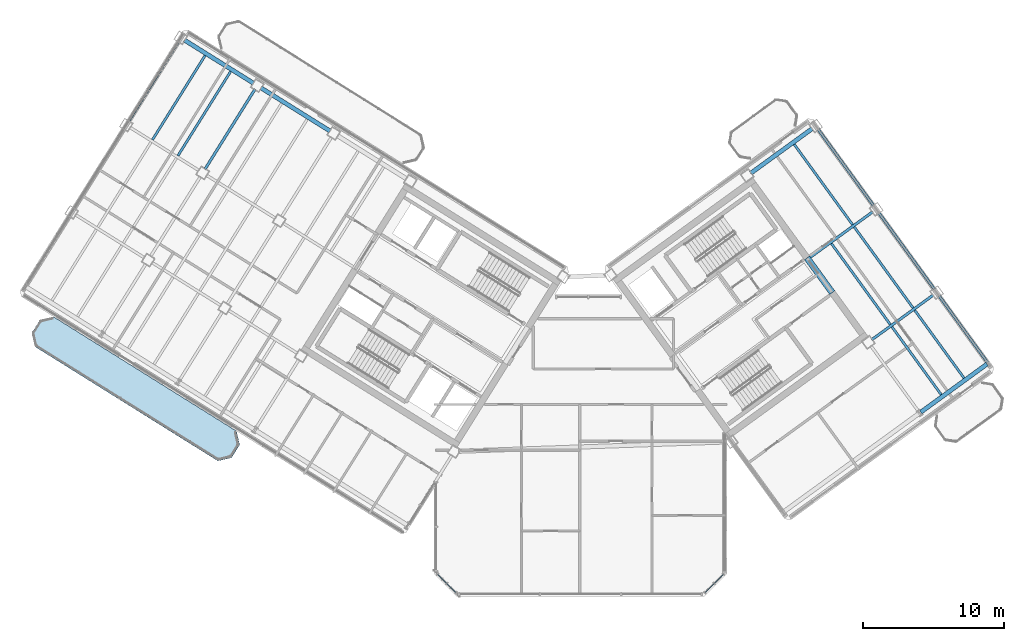
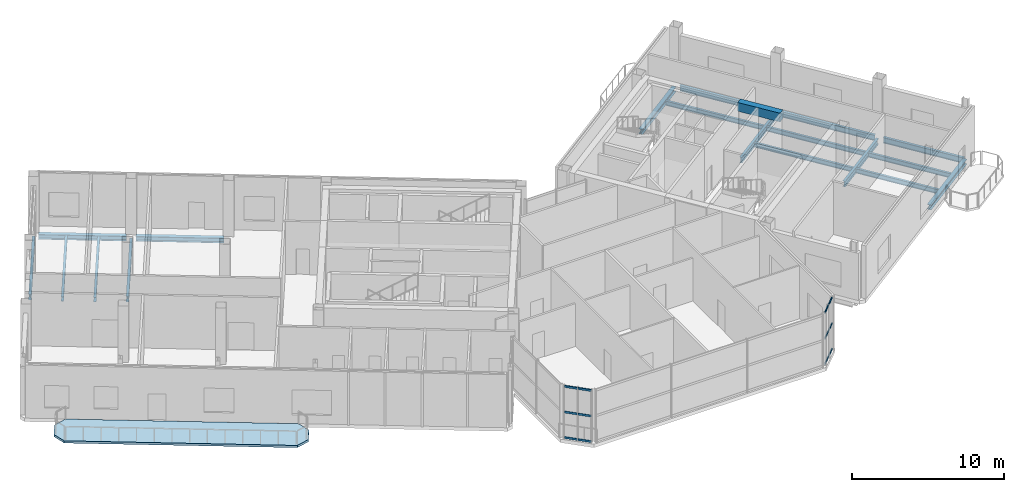
# One storey, part 13 of 27: 19 beams, 12 members, 1 slab, 2 elements without a shape of their own.
"""IFC4 building model written with IfcOpenShell, lengths in metres."""

from ifc_helpers import new_model, si_unit, direction, frame, origin, origin_2d, place, context, subcontext, project, spatial, polyline, rectangle, hollow_rectangle, i_section, outline, extrude, source, transform, mapped, material, layer, layer_set, material_profile, profile_set, type_object, element, aggregate, save


model = new_model("IFC4")

# Units and contexts
model_context = context("Model", 3, precision=1e-05, world=origin(), true_north=direction((0.0, 1.0)))
body_context = subcontext(model_context, "Body", "Model", "MODEL_VIEW")
ifc_project = project(units=[si_unit("LENGTHUNIT", "METRE"), si_unit("AREAUNIT", "SQUARE_METRE"), si_unit("VOLUMEUNIT", "CUBIC_METRE"), si_unit("PLANEANGLEUNIT", "RADIAN"), si_unit("MASSUNIT", "GRAM", prefix="KILO")], contexts=[model_context])

# Site, building, storey
site_placement = place(None, origin())
site = spatial("IfcSite", under=ifc_project, at=site_placement, CompositionType="ELEMENT")
building_placement = place(site_placement, origin())
building = spatial("IfcBuilding", under=site, at=building_placement, Name="Tlacorven Tower", CompositionType="ELEMENT")
storey_placement = place(building_placement, frame((0.0, 0.0, 254.699951171875)))
storey = spatial("IfcBuildingStorey", under=building, at=storey_placement, Name="L64", CompositionType="ELEMENT", Elevation=254.699951171875)

# Beams
ifc_material_1 = material(Name="Concrete C60/75", Category="concrete")
ifc_material_profile_1 = material_profile(ifc_material_1, rectangle(XDim=0.449951171875, YDim=0.699951171875, at=origin_2d()), Name="RC 450X700")
ifc_profile_set_1 = profile_set([ifc_material_profile_1], Name="Concrete C60/75")
beam_type_1 = type_object("IfcBeamType", Name="BM-LNT-700", PredefinedType="LINTEL", material=ifc_profile_set_1)
shared_shape_1 = source(origin(), body_context, "Body", "SweptSolid", [
    extrude(rectangle(XDim=0.449951171875, YDim=0.699951171875, at=origin_2d()), origin(), (0.0, 0.0, 1.0), 3.050048828125),
])
beam_1_placement = place(storey_placement, frame((59.856689453125, 23.345947265625, 3.900146484375), z_axis=(-0.587776590479, 0.80902328748, 0.0), x_axis=(-0.80902328748, -0.587776590479, 0.0)))
element("IfcBeam", 1, at=beam_1_placement, inside=storey, type_object=beam_type_1, Name="L64 E core coupling lintel beam E2", PredefinedType="LINTEL", context=body_context, shape_type="MappedRepresentation", body=[
    mapped(shared_shape_1, transform((0.0, 0.0, 0.0), scale=1.0)),
])
ifc_material_2 = material(Name="Steel S355J2", Category="steel")
ifc_material_profile_2 = material_profile(ifc_material_2, i_section(OverallWidth=0.300048828125, OverallDepth=0.389892578125, WebThickness=0.010986328125, FlangeThickness=0.01904296875, at=origin_2d()), Name="HEA 400")
ifc_profile_set_2 = profile_set([ifc_material_profile_2], Name="Steel S355J2")
beam_type_2 = type_object("IfcBeamType", Name="BM-SPN-400", PredefinedType="SPANDREL", material=ifc_profile_set_2)
shared_shape_2 = source(origin(), body_context, "Body", "SweptSolid", [
    extrude(i_section(OverallWidth=0.300048828125, OverallDepth=0.389892578125, WebThickness=0.010986328125, FlangeThickness=0.01904296875, at=origin_2d()), origin(), (0.0, 0.0, 1.0), 5.800048828125),
])
for number, where, z_axis, x_axis, name in (
    (2, (24.24609375, 34.8017578125, -0.474853515625), (-0.848052689693, 0.529911912967, 0.0), (-0.529911912967, -0.848052689693, 0.0), "L64 beam BM-L64-WL1-4"),
    (3, (18.818603515625, 38.193359375, -0.474853515625), (-0.848052689693, 0.529911912967, 0.0), (-0.529911912967, -0.848052689693, 0.0), "L64 beam BM-L64-WL1-5"),
    (4, (66.138671875, 14.86962890625, -0.474853515625), (0.809019944521, 0.587781191743, 0.0), (-0.587781191743, 0.809019944521, 0.0), "L64 beam BM-L64-EL1-3"),
):
    element("IfcBeam", number, at=place(storey_placement, frame(where, z_axis=z_axis, x_axis=x_axis)), inside=storey, type_object=beam_type_2, Name=name, PredefinedType="SPANDREL", context=body_context, shape_type="MappedRepresentation", body=[
        mapped(shared_shape_2, transform((0.0, 0.0, 0.0), scale=1.0)),
    ])
ifc_material_profile_3 = material_profile(ifc_material_2, i_section(OverallWidth=0.18994140625, OverallDepth=0.449951171875, WebThickness=0.009521484375, FlangeThickness=0.0146484375, at=origin_2d()), Name="IPE 450")
ifc_profile_set_3 = profile_set([ifc_material_profile_3], Name="Steel S355J2")
beam_type_3 = type_object("IfcBeamType", Name="BM-TWR-450", PredefinedType="BEAM", material=ifc_profile_set_3)
shared_shape_3 = source(origin(), body_context, "Body", "SweptSolid", [
    extrude(i_section(OverallWidth=0.18994140625, OverallDepth=0.449951171875, WebThickness=0.009521484375, FlangeThickness=0.0146484375, at=origin_2d()), origin(), (0.0, 0.0, 1.0), 5.800048828125),
])
beam_2_placement = place(storey_placement, frame((70.853271484375, 18.41845703125, -0.5048828125), z_axis=(-0.587781191743, 0.809019944521, 0.0), x_axis=(-0.809019944521, -0.587781191743, 0.0)))
element("IfcBeam", 5, at=beam_2_placement, inside=storey, type_object=beam_type_3, Name="L64 beam BM-L64-ET4-1", PredefinedType="BEAM", context=body_context, shape_type="MappedRepresentation", body=[
    mapped(shared_shape_3, transform((0.0, 0.0, 0.0), scale=1.0)),
])
shared_shape_4 = source(origin(), body_context, "Body", "SweptSolid", [
    extrude(i_section(OverallWidth=0.18994140625, OverallDepth=0.449951171875, WebThickness=0.009521484375, FlangeThickness=0.0146484375, at=origin_2d()), origin(), (0.0, 0.0, 1.0), 6.699951171875),
])
for number, where, z_axis, x_axis, name in (
    (6, (13.486328125, 41.17138671875, -0.5048828125), (-0.529903948186, -0.848057666493, 0.0), (0.848057666493, -0.529903948186, 0.0), "L64 beam BM-L64-WT6-1"),
    (7, (67.09130859375, 23.59619140625, -0.5048828125), (-0.587768623827, 0.809029075401, 0.0), (-0.809029075401, -0.587768623827, 0.0), "L64 beam BM-L64-ET4-2"),
    (8, (62.800537109375, 29.501953125, -0.5048828125), (-0.587792473715, 0.809011747655, 0.0), (-0.809011747655, -0.587792473715, 0.0), "L64 beam BM-L64-ET4-3"),
):
    element("IfcBeam", number, at=place(storey_placement, frame(where, z_axis=z_axis, x_axis=x_axis)), inside=storey, type_object=beam_type_3, Name=name, PredefinedType="BEAM", context=body_context, shape_type="MappedRepresentation", body=[
        mapped(shared_shape_4, transform((0.0, 0.0, 0.0), scale=1.0)),
    ])
shared_shape_5 = source(origin(), body_context, "Body", "SweptSolid", [
    extrude(i_section(OverallWidth=0.18994140625, OverallDepth=0.449951171875, WebThickness=0.009521484375, FlangeThickness=0.0146484375, at=origin_2d()), origin(), (0.0, 0.0, 1.0), 6.7001953125),
])
beam_3_placement = place(storey_placement, frame((18.9140625, 37.780029296875, -0.5048828125), z_axis=(-0.52991377951, -0.848051523367, 0.0), x_axis=(0.848051523367, -0.52991377951, 0.0)))
element("IfcBeam", 9, at=beam_3_placement, inside=storey, type_object=beam_type_3, Name="L64 beam BM-L64-WT5-1", PredefinedType="BEAM", context=body_context, shape_type="MappedRepresentation", body=[
    mapped(shared_shape_5, transform((0.0, 0.0, 0.0), scale=1.0)),
])
ifc_material_profile_4 = material_profile(ifc_material_2, i_section(OverallWidth=0.169921875, OverallDepth=0.360107421875, WebThickness=0.008056640625, FlangeThickness=0.0126953125, at=origin_2d()), Name="IPE 360")
ifc_profile_set_4 = profile_set([ifc_material_profile_4], Name="Steel S355J2")
beam_type_4 = type_object("IfcBeamType", Name="BM-JST-360", PredefinedType="JOIST", material=ifc_profile_set_4)
shared_shape_6 = source(origin(), body_context, "Body", "SweptSolid", [
    extrude(i_section(OverallWidth=0.169921875, OverallDepth=0.360107421875, WebThickness=0.008056640625, FlangeThickness=0.0126953125, at=origin_2d()), origin(), (0.0, 0.0, 1.0), 7.044921875),
])
for number, where, z_axis, x_axis, name in (
    (10, (17.181640625, 39.033447265625, -0.4599609375), (-0.529899256491, -0.848060598053, 0.0), (0.848060598053, -0.529899256491, 0.0), "L64 beam BM-L64-WJ5-1-1"),
    (11, (15.372314453125, 40.163818359375, -0.4599609375), (-0.52991483005, -0.848050866925, 0.0), (0.848050866925, -0.52991483005, 0.0), "L64 beam BM-L64-WJ5-1-2"),
    (12, (61.300048828125, 28.164794921875, -0.4599609375), (-0.587782183052, 0.8090192243, 0.0), (-0.8090192243, -0.587782183052, 0.0), "L64 beam BM-L64-EJ3-3-2"),
):
    element("IfcBeam", number, at=place(storey_placement, frame(where, z_axis=z_axis, x_axis=x_axis)), inside=storey, type_object=beam_type_4, Name=name, PredefinedType="JOIST", context=body_context, shape_type="MappedRepresentation", body=[
        mapped(shared_shape_6, transform((0.0, 0.0, 0.0), scale=1.0)),
    ])
shared_shape_7 = source(origin(), body_context, "Body", "SweptSolid", [
    extrude(i_section(OverallWidth=0.169921875, OverallDepth=0.360107421875, WebThickness=0.008056640625, FlangeThickness=0.0126953125, at=origin_2d()), origin(), (0.0, 0.0, 1.0), 5.945068359375),
])
for number, where, z_axis, x_axis, name in (
    (13, (67.584716796875, 16.11181640625, -0.4599609375), (-0.587788268014, 0.809014803317, 0.0), (-0.809014803317, -0.587788268014, 0.0), "L64 beam BM-L64-EJ3-1-1"),
    (14, (69.202880859375, 17.287353515625, -0.4599609375), (-0.587768740048, 0.809028990965, 0.0), (-0.809028990965, -0.587768740048, 0.0), "L64 beam BM-L64-EJ3-1-2"),
):
    element("IfcBeam", number, at=place(storey_placement, frame(where, z_axis=z_axis, x_axis=x_axis)), inside=storey, type_object=beam_type_4, Name=name, PredefinedType="JOIST", context=body_context, shape_type="MappedRepresentation", body=[
        mapped(shared_shape_7, transform((0.0, 0.0, 0.0), scale=1.0)),
    ])
shared_shape_8 = source(origin(), body_context, "Body", "SweptSolid", [
    extrude(i_section(OverallWidth=0.169921875, OverallDepth=0.360107421875, WebThickness=0.008056640625, FlangeThickness=0.0126953125, at=origin_2d()), origin(), (0.0, 0.0, 1.0), 7.10009765625),
])
for number, where, z_axis, x_axis, name in (
    (15, (63.972900390625, 21.083251953125, -0.4599609375), (-0.587783168305, 0.809018508476, 0.0), (-0.809018508476, -0.587783168305, 0.0), "L64 beam BM-L64-EJ3-2-1"),
    (16, (65.5908203125, 22.2587890625, -0.4599609375), (-0.587760662035, 0.809034859672, 0.0), (-0.809034859672, -0.587760662035, 0.0), "L64 beam BM-L64-EJ3-2-2"),
):
    element("IfcBeam", number, at=place(storey_placement, frame(where, z_axis=z_axis, x_axis=x_axis)), inside=storey, type_object=beam_type_4, Name=name, PredefinedType="JOIST", context=body_context, shape_type="MappedRepresentation", body=[
        mapped(shared_shape_8, transform((0.0, 0.0, 0.0), scale=1.0)),
    ])
shared_shape_9 = source(origin(), body_context, "Body", "SweptSolid", [
    extrude(i_section(OverallWidth=0.18994140625, OverallDepth=0.449951171875, WebThickness=0.009521484375, FlangeThickness=0.0146484375, at=origin_2d()), origin(), (0.0, 0.0, 1.0), 5.39990234375),
])
beam_4_placement = place(storey_placement, frame((62.65625, 20.003173828125, -0.5048828125), z_axis=(0.80901166244, 0.587792591002, 0.0), x_axis=(-0.587792591002, 0.80901166244, 0.0)))
element("IfcBeam", 17, at=beam_4_placement, inside=storey, type_object=beam_type_3, Name="L64 beam BM-L64-EL2-3", PredefinedType="BEAM", context=body_context, shape_type="MappedRepresentation", body=[
    mapped(shared_shape_9, transform((0.0, 0.0, 0.0), scale=1.0)),
])
shared_shape_10 = source(origin(), body_context, "Body", "SweptSolid", [
    extrude(i_section(OverallWidth=0.18994140625, OverallDepth=0.449951171875, WebThickness=0.009521484375, FlangeThickness=0.0146484375, at=origin_2d()), origin(), (0.0, 0.0, 1.0), 5.66015625),
])
beam_5_placement = place(storey_placement, frame((58.155029296875, 25.756103515625, -0.5048828125), z_axis=(0.809017643667, 0.587784358618, 0.0), x_axis=(-0.587784358618, 0.809017643667, 0.0)))
element("IfcBeam", 18, at=beam_5_placement, inside=storey, type_object=beam_type_3, Name="L64 beam BM-L64-EL3-3", PredefinedType="BEAM", context=body_context, shape_type="MappedRepresentation", body=[
    mapped(shared_shape_10, transform((0.0, 0.0, 0.0), scale=1.0)),
])
shared_shape_11 = source(origin(), body_context, "Body", "SweptSolid", [
    extrude(i_section(OverallWidth=0.300048828125, OverallDepth=0.389892578125, WebThickness=0.010986328125, FlangeThickness=0.01904296875, at=origin_2d()), origin(), (0.0, 0.0, 1.0), 5.39990234375),
])
beam_6_placement = place(storey_placement, frame((54.07470703125, 31.814697265625, -0.474853515625), z_axis=(0.80901166244, 0.587792591002, 0.0), x_axis=(-0.587792591002, 0.80901166244, 0.0)))
element("IfcBeam", 19, at=beam_6_placement, inside=storey, type_object=beam_type_2, Name="L64 beam BM-L64-EL4-3", PredefinedType="SPANDREL", context=body_context, shape_type="MappedRepresentation", body=[
    mapped(shared_shape_11, transform((0.0, 0.0, 0.0), scale=1.0)),
])

# Curtain wall, members
ifc_material_3 = material(Name="Dark solar low-E double glazing in aluminium frame", Category="aluminium")
curtain_wall_type = type_object("IfcCurtainWallType", Name="CW-COM-AMENITY", PredefinedType="USERDEFINED", material=ifc_material_3)
curtain_wall_1_placement = place(storey_placement, origin())
curtain_wall_1 = element("IfcCurtainWall", 20, at=curtain_wall_1_placement, inside=storey, type_object=curtain_wall_type, Name="L64 CW-COM-AMENITY Curtain Wall 296", ObjectType="UNITISED CURTAIN WALL", PredefinedType="USERDEFINED")
ifc_material_4 = material(Name="Aluminium 6063-T6 anodised", Category="aluminium")
ifc_material_profile_5 = material_profile(ifc_material_4, hollow_rectangle(XDim=0.06494140625, YDim=0.159912109375, WallThickness=0.00390625, at=origin_2d()), Name="ALU TRANSOM 65X160")
ifc_profile_set_5 = profile_set([ifc_material_profile_5], Name="Aluminium 6063-T6 anodised")
member_type = type_object("IfcMemberType", Name="CWT-01", PredefinedType="USERDEFINED", material=ifc_profile_set_5)
shared_shape_12 = source(origin(), body_context, "Body", "SweptSolid", [
    extrude(hollow_rectangle(XDim=0.06494140625, YDim=0.159912109375, WallThickness=0.00390625, at=origin_2d()), origin(), (0.0, 0.0, 1.0), 0.8837890625),
])
member_1_placement = place(storey_placement, frame((52.128173828125, 3.3544921875, 0.080078125), z_axis=(-0.707106781187, -0.707106781187, 0.0), x_axis=(0.707106781187, -0.707106781187, 0.0)))
member_1 = element("IfcMember", 21, at=member_1_placement, type_object=member_type, Name="CW-L64-296 Transom 1", ObjectType="TRANSOM", PredefinedType="USERDEFINED", context=body_context, shape_type="MappedRepresentation", body=[
    mapped(shared_shape_12, transform((0.0, 0.0, 0.0), scale=1.0)),
])
member_2_placement = place(storey_placement, frame((52.128173828125, 3.3544921875, 2.125), z_axis=(-0.707106781187, -0.707106781187, 0.0), x_axis=(0.707106781187, -0.707106781187, 0.0)))
member_2 = element("IfcMember", 22, at=member_2_placement, type_object=member_type, Name="CW-L64-296 Transom 2", ObjectType="TRANSOM", PredefinedType="USERDEFINED", context=body_context, shape_type="MappedRepresentation", body=[
    mapped(shared_shape_12, transform((0.0, 0.0, 0.0), scale=1.0)),
])
member_3_placement = place(storey_placement, frame((52.128173828125, 3.3544921875, 4.170166015625), z_axis=(-0.707106781187, -0.707106781187, 0.0), x_axis=(0.707106781187, -0.707106781187, 0.0)))
member_3 = element("IfcMember", 23, at=member_3_placement, type_object=member_type, Name="CW-L64-296 Transom 3", ObjectType="TRANSOM", PredefinedType="USERDEFINED", context=body_context, shape_type="MappedRepresentation", body=[
    mapped(shared_shape_12, transform((0.0, 0.0, 0.0), scale=1.0)),
])

curtain_wall_2_placement = place(storey_placement, origin())
curtain_wall_2 = element("IfcCurtainWall", 24, at=curtain_wall_2_placement, inside=storey, type_object=curtain_wall_type, Name="L64 CW-COM-AMENITY Curtain Wall 298", ObjectType="UNITISED CURTAIN WALL", PredefinedType="USERDEFINED")
member_4_placement = place(storey_placement, frame((32.496826171875, 2.7294921875, 0.080078125), z_axis=(-0.707106781187, 0.707106781187, 0.0), x_axis=(-0.707106781187, -0.707106781187, 0.0)))
member_4 = element("IfcMember", 25, at=member_4_placement, type_object=member_type, Name="CW-L64-298 Transom 4", ObjectType="TRANSOM", PredefinedType="USERDEFINED", context=body_context, shape_type="MappedRepresentation", body=[
    mapped(shared_shape_12, transform((0.0, 0.0, 0.0), scale=1.0)),
])
member_5_placement = place(storey_placement, frame((32.496826171875, 2.7294921875, 2.125), z_axis=(-0.707106781187, 0.707106781187, 0.0), x_axis=(-0.707106781187, -0.707106781187, 0.0)))
member_5 = element("IfcMember", 26, at=member_5_placement, type_object=member_type, Name="CW-L64-298 Transom 5", ObjectType="TRANSOM", PredefinedType="USERDEFINED", context=body_context, shape_type="MappedRepresentation", body=[
    mapped(shared_shape_12, transform((0.0, 0.0, 0.0), scale=1.0)),
])
member_6_placement = place(storey_placement, frame((32.496826171875, 2.7294921875, 4.170166015625), z_axis=(-0.707106781187, 0.707106781187, 0.0), x_axis=(-0.707106781187, -0.707106781187, 0.0)))
member_6 = element("IfcMember", 27, at=member_6_placement, type_object=member_type, Name="CW-L64-298 Transom 6", ObjectType="TRANSOM", PredefinedType="USERDEFINED", context=body_context, shape_type="MappedRepresentation", body=[
    mapped(shared_shape_12, transform((0.0, 0.0, 0.0), scale=1.0)),
])

# Member
shared_shape_13 = source(origin(), body_context, "Body", "SweptSolid", [
    extrude(hollow_rectangle(XDim=0.06494140625, YDim=0.159912109375, WallThickness=0.00390625, at=origin_2d()), origin(), (0.0, 0.0, 1.0), 0.884033203125),
])
member_7_placement = place(storey_placement, frame((51.470703125, 2.69677734375, 0.080078125), z_axis=(-0.707244847527, -0.706968687883, 0.0), x_axis=(0.706968687883, -0.707244847527, 0.0)))
member_7 = element("IfcMember", 28, at=member_7_placement, type_object=member_type, Name="CW-L64-296 Transom 4", ObjectType="TRANSOM", PredefinedType="USERDEFINED", context=body_context, shape_type="MappedRepresentation", body=[
    mapped(shared_shape_13, transform((0.0, 0.0, 0.0), scale=1.0)),
])

member_8_placement = place(storey_placement, frame((51.470703125, 2.69677734375, 2.125), z_axis=(-0.707244847527, -0.706968687883, 0.0), x_axis=(0.706968687883, -0.707244847527, 0.0)))
member_8 = element("IfcMember", 29, at=member_8_placement, type_object=member_type, Name="CW-L64-296 Transom 5", ObjectType="TRANSOM", PredefinedType="USERDEFINED", context=body_context, shape_type="MappedRepresentation", body=[
    mapped(shared_shape_13, transform((0.0, 0.0, 0.0), scale=1.0)),
])

member_9_placement = place(storey_placement, frame((51.470703125, 2.69677734375, 4.170166015625), z_axis=(-0.707244847527, -0.706968687883, 0.0), x_axis=(0.706968687883, -0.707244847527, 0.0)))
member_9 = element("IfcMember", 30, at=member_9_placement, type_object=member_type, Name="CW-L64-296 Transom 6", ObjectType="TRANSOM", PredefinedType="USERDEFINED", context=body_context, shape_type="MappedRepresentation", body=[
    mapped(shared_shape_13, transform((0.0, 0.0, 0.0), scale=1.0)),
])

aggregate(curtain_wall_1, [member_1, member_2, member_3, member_7, member_8, member_9])

member_10_placement = place(storey_placement, frame((33.154541015625, 2.07177734375, 0.080078125), z_axis=(-0.707244847527, 0.706968687883, 0.0), x_axis=(-0.706968687883, -0.707244847527, 0.0)))
member_10 = element("IfcMember", 31, at=member_10_placement, type_object=member_type, Name="CW-L64-298 Transom 1", ObjectType="TRANSOM", PredefinedType="USERDEFINED", context=body_context, shape_type="MappedRepresentation", body=[
    mapped(shared_shape_13, transform((0.0, 0.0, 0.0), scale=1.0)),
])

member_11_placement = place(storey_placement, frame((33.154541015625, 2.07177734375, 2.125), z_axis=(-0.707244847527, 0.706968687883, 0.0), x_axis=(-0.706968687883, -0.707244847527, 0.0)))
member_11 = element("IfcMember", 32, at=member_11_placement, type_object=member_type, Name="CW-L64-298 Transom 2", ObjectType="TRANSOM", PredefinedType="USERDEFINED", context=body_context, shape_type="MappedRepresentation", body=[
    mapped(shared_shape_13, transform((0.0, 0.0, 0.0), scale=1.0)),
])

member_12_placement = place(storey_placement, frame((33.154541015625, 2.07177734375, 4.170166015625), z_axis=(-0.707244847527, 0.706968687883, 0.0), x_axis=(-0.706968687883, -0.707244847527, 0.0)))
member_12 = element("IfcMember", 33, at=member_12_placement, type_object=member_type, Name="CW-L64-298 Transom 3", ObjectType="TRANSOM", PredefinedType="USERDEFINED", context=body_context, shape_type="MappedRepresentation", body=[
    mapped(shared_shape_13, transform((0.0, 0.0, 0.0), scale=1.0)),
])

aggregate(curtain_wall_2, [member_10, member_11, member_12, member_4, member_5, member_6])

# Slab
ifc_material_5 = material(Name="Precast concrete C45/55", Category="concrete")
ifc_layer = layer(ifc_material_5, 0.179931640625)
ifc_layer_set = layer_set([ifc_layer], Name="Precast concrete C45/55")
slab_type = type_object("IfcSlabType", Name="SL-BAL-180", PredefinedType="USERDEFINED", material=ifc_layer_set)
slab_placement = place(storey_placement, frame((0.0, 0.0, -0.179931640625)))
element("IfcSlab", 34, at=slab_placement, inside=storey, type_object=slab_type, Name="L64 West Wing Balcony Ribbon OUT", ObjectType="BALCONY SLAB", PredefinedType="USERDEFINED", context=body_context, shape_type="SweptSolid", body=[
    extrude(outline(polyline([(17.601318359375, 13.52490234375), (4.626220703125, 21.632568359375), (3.66162109375, 21.409912109375), (3.081298828125, 20.4814453125), (3.303955078125, 19.516845703125), (16.279052734375, 11.408935546875), (17.24365234375, 11.6318359375), (17.823974609375, 12.560302734375), (17.601318359375, 13.52490234375)])), origin(), (0.0, 0.0, 1.0), 0.179931640625),
])

save(model, "model.ifc")
